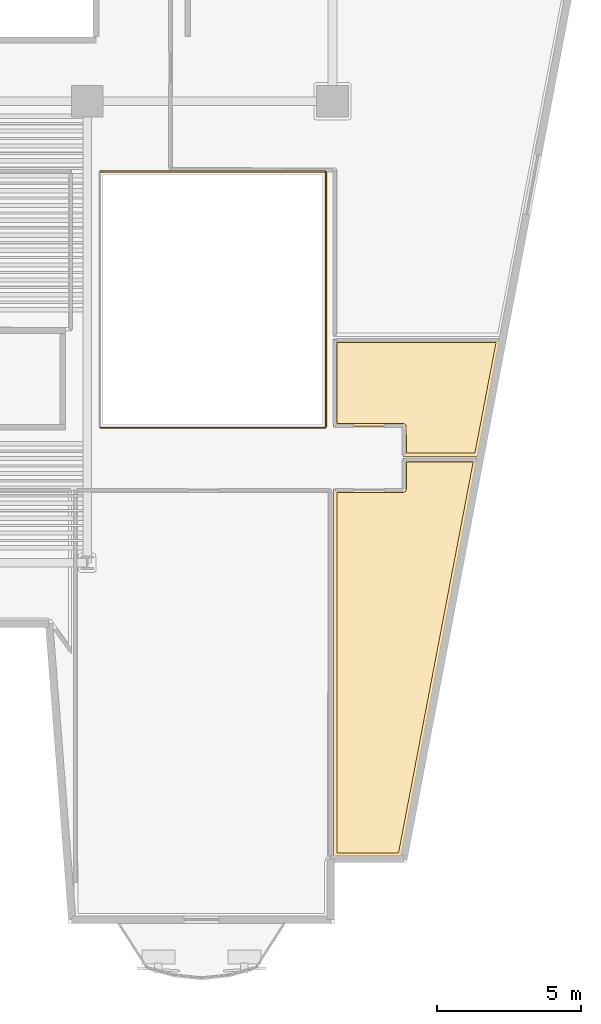
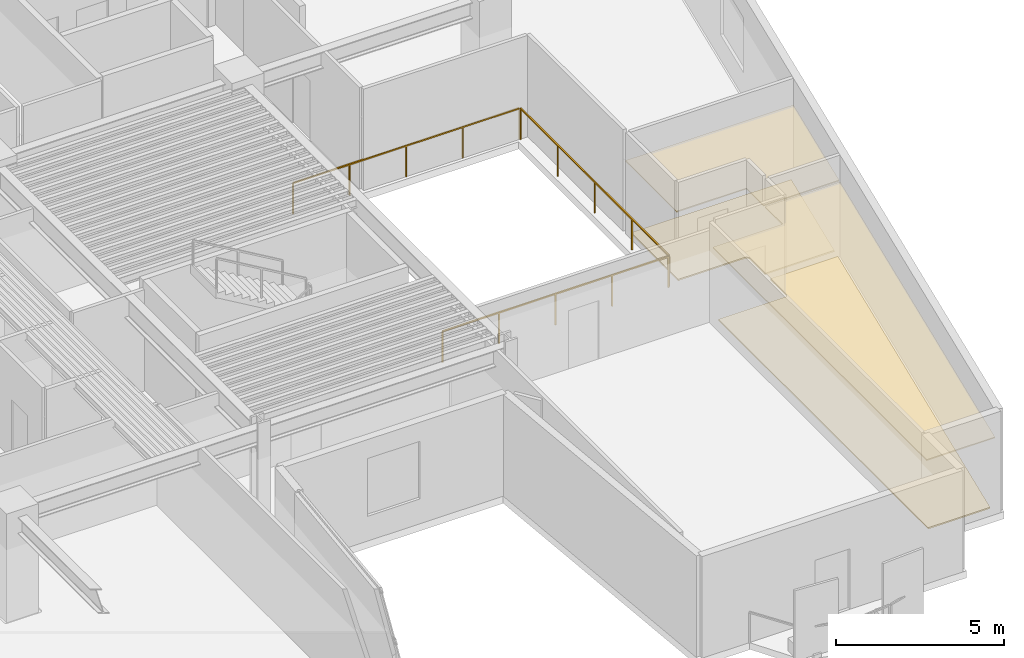
# One storey, part 11 of 13: 4 coverings, 3 railings.
"""IFC4 building model written with IfcOpenShell, lengths in metres."""

from ifc_helpers import new_model, si_unit, direction, frame, origin, origin_2d, place, context, subcontext, project, spatial, polyline, rectangle, outline, extrude, material, layer, layer_set, type_object, element, save


model = new_model("IFC4")

# Units and contexts
model_context = context("Model", 3, precision=1e-05, world=origin(), true_north=direction((0.0, 1.0)))
body_context = subcontext(model_context, "Body", "Model", "MODEL_VIEW")
ifc_project = project(units=[si_unit("LENGTHUNIT", "METRE"), si_unit("AREAUNIT", "SQUARE_METRE"), si_unit("VOLUMEUNIT", "CUBIC_METRE"), si_unit("PLANEANGLEUNIT", "RADIAN"), si_unit("MASSUNIT", "GRAM", prefix="KILO")], contexts=[model_context])

# Site, building, storey
site_placement = place(None, origin())
site = spatial("IfcSite", under=ifc_project, at=site_placement, CompositionType="ELEMENT")
building_placement = place(site_placement, origin())
building = spatial("IfcBuilding", under=site, at=building_placement, Name="Caeloran Harvest Quay", CompositionType="ELEMENT")
storey_placement = place(building_placement, frame((0.0, 0.0, 127.199951171875)))
storey = spatial("IfcBuildingStorey", under=building, at=storey_placement, Name="L29", CompositionType="ELEMENT", Elevation=127.199951171875)

# Coverings
ifc_material_1 = material(Name="Perforated Mineral-Fibre Acoustic Ceiling Tile", Category="ceiling")
ifc_layer_1 = layer(ifc_material_1, 0.0400390625, Name="Perforated Mineral-Fibre Acoustic Ceiling Tile")
ifc_layer_set_1 = layer_set([ifc_layer_1], Name="Perforated Mineral-Fibre Acoustic Ceiling Tile")
covering_type_1 = type_object("IfcCoveringType", Name="COV-CEILING-ACOUSTIC", PredefinedType="CEILING", material=ifc_layer_set_1)
covering_1_placement = place(storey_placement, frame((0.0, 0.0, 2.60009765625)))
element("IfcCovering", 1, at=covering_1_placement, inside=storey, type_object=covering_type_1, Name="Bio-Security Compliance Office Acoustic Ceiling", PredefinedType="CEILING", context=body_context, shape_type="SweptSolid", body=[
    extrude(outline(polyline([(44.93994140625, 17.56005859375), (44.93994140625, 18.610107421875), (47.522705078125, 18.610107421875), (44.888916015625, 4.820068359375), (42.5400390625, 4.820068359375), (42.5400390625, 17.56005859375), (44.93994140625, 17.56005859375)])), origin(), (0.0, 0.0, 1.0), 0.0400390625),
])
covering_2_placement = place(storey_placement, frame((0.0, 0.0, 2.60009765625)))
element("IfcCovering", 2, at=covering_2_placement, inside=storey, type_object=covering_type_1, Name="Research Library Study Room Acoustic Ceiling", PredefinedType="CEILING", context=body_context, shape_type="SweptSolid", body=[
    extrude(outline(polyline([(44.93994140625, 19.7099609375), (42.5400390625, 19.7099609375), (42.5400390625, 22.760009765625), (48.315185546875, 22.760009765625), (47.537841796875, 18.68994140625), (44.93994140625, 18.68994140625), (44.93994140625, 19.7099609375)])), origin(), (0.0, 0.0, 1.0), 0.0400390625),
])
ifc_material_2 = material(Name="Calcium-Sulphate Raised Access Floor and Terrazzo Finish", Category="flooring")
ifc_layer_2 = layer(ifc_material_2, 0.050048828125, Name="Calcium-Sulphate Raised Access Floor and Terrazzo Finish")
ifc_layer_set_2 = layer_set([ifc_layer_2], Name="Calcium-Sulphate Raised Access Floor and Terrazzo Finish")
covering_type_2 = type_object("IfcCoveringType", Name="COV-FLOOR-RAISED", PredefinedType="FLOORING", material=ifc_layer_set_2)
covering_3_placement = place(storey_placement, origin())
element("IfcCovering", 3, at=covering_3_placement, inside=storey, type_object=covering_type_2, Name="Bio-Security Compliance Office Raised Finish Flooring", PredefinedType="FLOORING", context=body_context, shape_type="SweptSolid", body=[
    extrude(outline(polyline([(44.97802734375, 17.443603515625), (45.037353515625, 17.4833984375), (45.059814453125, 17.543212890625), (45.06005859375, 18.489990234375), (47.37744140625, 18.489990234375), (44.789794921875, 4.93994140625), (42.659912109375, 4.93994140625), (42.659912109375, 17.43994140625), (44.97802734375, 17.443603515625)])), origin(), (0.0, 0.0, 1.0), 0.050048828125),
])
covering_4_placement = place(storey_placement, origin())
element("IfcCovering", 4, at=covering_4_placement, inside=storey, type_object=covering_type_2, Name="Research Library Study Room Raised Finish Flooring", PredefinedType="FLOORING", context=body_context, shape_type="SweptSolid", body=[
    extrude(outline(polyline([(45.056396484375, 19.748046875), (45.0166015625, 19.807373046875), (44.953857421875, 19.829833984375), (42.659912109375, 19.830078125), (42.659912109375, 22.639892578125), (48.170166015625, 22.639892578125), (47.438720703125, 18.81005859375), (45.06005859375, 18.81005859375), (45.056396484375, 19.748046875)])), origin(), (0.0, 0.0, 1.0), 0.050048828125),
])

# Railings
ifc_material_3 = material(Name="Powder-Coated Steel Post and Laminated Glass Guardrail", Category="steel")
ifc_layer_3 = layer(ifc_material_3, 0.06005859375, Name="Powder-Coated Steel Post and Laminated Glass Guardrail")
ifc_layer_set_3 = layer_set([ifc_layer_3], Name="Powder-Coated Steel Post and Laminated Glass Guardrail")
railing_type = type_object("IfcRailingType", Name="GUARD-ATRIUM-1150", PredefinedType="GUARDRAIL", material=ifc_layer_set_3)
railing_1_placement = place(storey_placement, frame((34.4619140625, 19.679931640625, 0.0)))
element("IfcRailing", 5, at=railing_1_placement, inside=storey, type_object=railing_type, Name="L29 East Botanical Lightwell Guardrail Seg 1", PredefinedType="GUARDRAIL", context=body_context, shape_type="SweptSolid", body=[
    extrude(rectangle(XDim=0.048095703125, YDim=0.048095703125, at=origin_2d()), frame((0.0, 0.0, 1.1259765625), z_axis=(1.0, 0.0, 0.0), x_axis=(0.0, 1.0, 0.0)), (0.0, 0.0, 1.0), 7.776123046875),
    extrude(rectangle(XDim=0.0419921875, YDim=0.0419921875, at=origin_2d()), origin(), (0.0, 0.0, 1.0), 1.101806640625),
    extrude(rectangle(XDim=0.0419921875, YDim=0.0419921875, at=origin_2d()), frame((1.944091796875, 0.0, 0.0)), (0.0, 0.0, 1.0), 1.101806640625),
    extrude(rectangle(XDim=0.0419921875, YDim=0.0419921875, at=origin_2d()), frame((3.88818359375, 0.0, 0.0)), (0.0, 0.0, 1.0), 1.101806640625),
    extrude(rectangle(XDim=0.0419921875, YDim=0.0419921875, at=origin_2d()), frame((5.83203125, 0.0, 0.0)), (0.0, 0.0, 1.0), 1.101806640625),
    extrude(rectangle(XDim=0.0419921875, YDim=0.0419921875, at=origin_2d()), frame((7.776123046875, 0.0, 0.0)), (0.0, 0.0, 1.0), 1.101806640625),
])
railing_2_placement = place(storey_placement, frame((42.27001953125, 19.7119140625, 0.0)))
element("IfcRailing", 6, at=railing_2_placement, inside=storey, type_object=railing_type, Name="L29 East Botanical Lightwell Guardrail Seg 2", PredefinedType="GUARDRAIL", context=body_context, shape_type="SweptSolid", body=[
    extrude(rectangle(XDim=0.048095703125, YDim=0.048095703125, at=origin_2d()), frame((0.0, 0.0, 1.1259765625), z_axis=(0.0, 1.0, 0.0), x_axis=(-1.0, 0.0, 0.0)), (0.0, 0.0, 1.0), 8.826171875),
    extrude(rectangle(XDim=0.0419921875, YDim=0.0419921875, at=origin_2d()), origin(), (0.0, 0.0, 1.0), 1.101806640625),
    extrude(rectangle(XDim=0.0419921875, YDim=0.0419921875, at=origin_2d()), frame((0.0, 2.20654296875, 0.0)), (0.0, 0.0, 1.0), 1.101806640625),
    extrude(rectangle(XDim=0.0419921875, YDim=0.0419921875, at=origin_2d()), frame((0.0, 4.4130859375, 0.0)), (0.0, 0.0, 1.0), 1.101806640625),
    extrude(rectangle(XDim=0.0419921875, YDim=0.0419921875, at=origin_2d()), frame((0.0, 6.61962890625, 0.0)), (0.0, 0.0, 1.0), 1.101806640625),
    extrude(rectangle(XDim=0.0419921875, YDim=0.0419921875, at=origin_2d()), frame((0.0, 8.826171875, 0.0)), (0.0, 0.0, 1.0), 1.101806640625),
])
railing_3_placement = place(storey_placement, frame((42.238037109375, 28.570068359375, 0.0)))
element("IfcRailing", 7, at=railing_3_placement, inside=storey, type_object=railing_type, Name="L29 East Botanical Lightwell Guardrail Seg 3", PredefinedType="GUARDRAIL", context=body_context, shape_type="SweptSolid", body=[
    extrude(rectangle(XDim=0.048095703125, YDim=0.048095703125, at=origin_2d()), frame((0.0, 0.0, 1.1259765625), z_axis=(-1.0, 0.0, 0.0), x_axis=(0.0, -1.0, 0.0)), (0.0, 0.0, 1.0), 7.776123046875),
    extrude(rectangle(XDim=0.0419921875, YDim=0.0419921875, at=origin_2d()), origin(), (0.0, 0.0, 1.0), 1.101806640625),
    extrude(rectangle(XDim=0.0419921875, YDim=0.0419921875, at=origin_2d()), frame((-1.944091796875, 0.0, 0.0)), (0.0, 0.0, 1.0), 1.101806640625),
    extrude(rectangle(XDim=0.0419921875, YDim=0.0419921875, at=origin_2d()), frame((-3.88818359375, 0.0, 0.0)), (0.0, 0.0, 1.0), 1.101806640625),
    extrude(rectangle(XDim=0.0419921875, YDim=0.0419921875, at=origin_2d()), frame((-5.83203125, 0.0, 0.0)), (0.0, 0.0, 1.0), 1.101806640625),
    extrude(rectangle(XDim=0.0419921875, YDim=0.0419921875, at=origin_2d()), frame((-7.776123046875, 0.0, 0.0)), (0.0, 0.0, 1.0), 1.101806640625),
])

save(model, "model.ifc")
